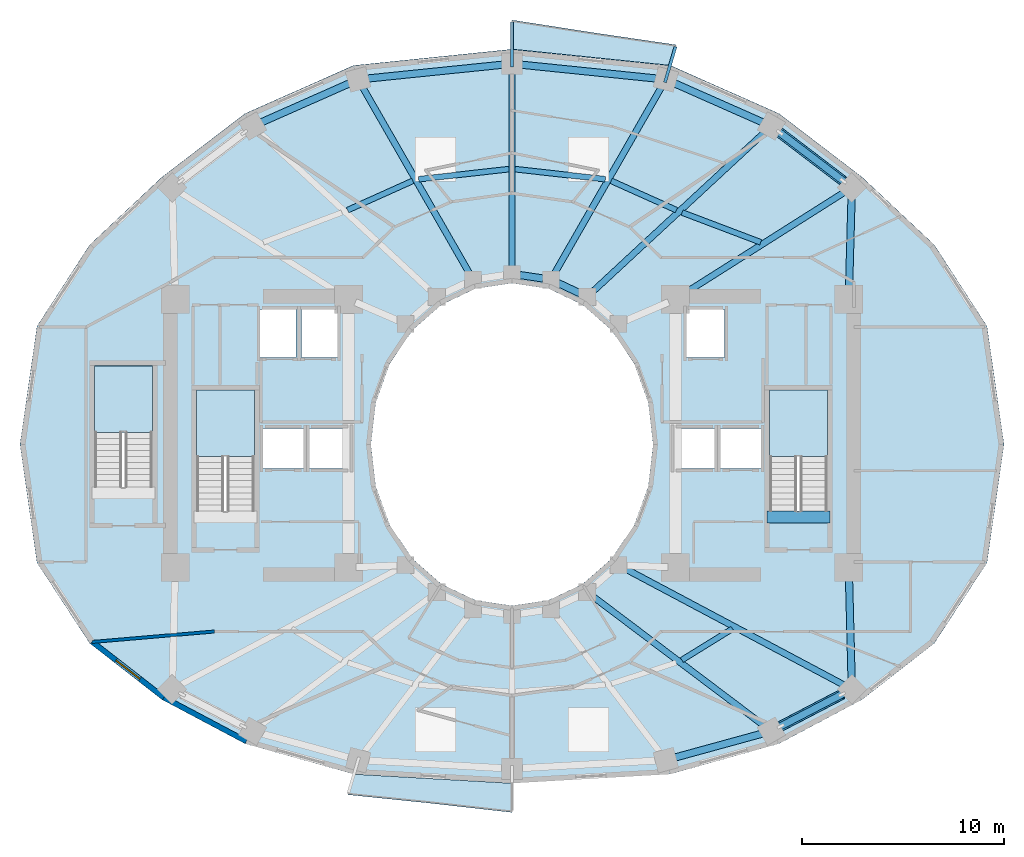
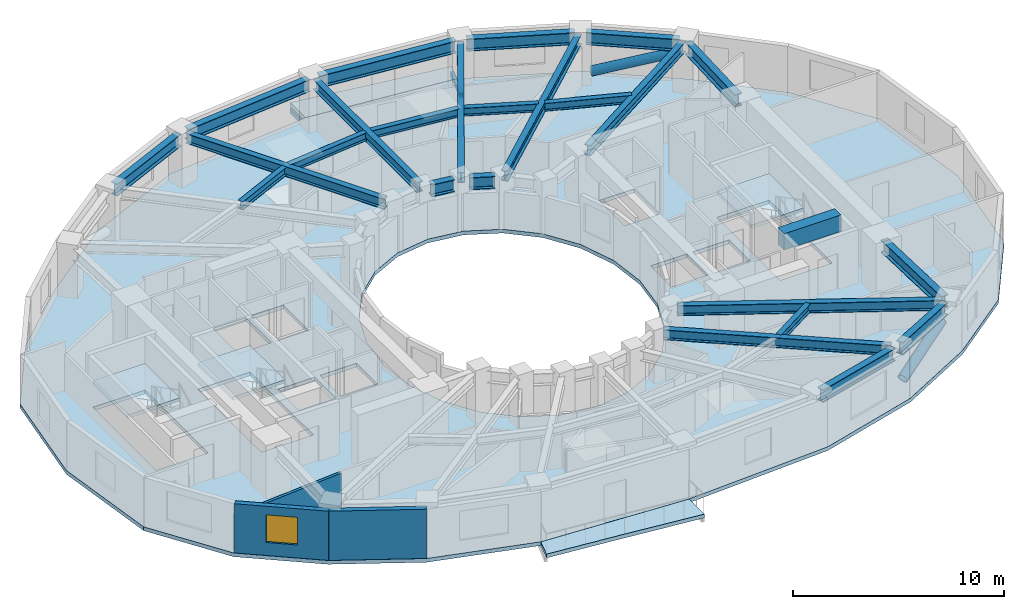
# One storey, part 2 of 9: 27 beams, 6 slabs, 3 walls, 2 members, 1 window, 1 opening, 3 elements without a shape of their own.
"""IFC4 building model written with IfcOpenShell, lengths in metres."""

import ifcopenshell
import ifcopenshell.guid

model = None  # the IFC model being written
_history = None  # IfcOwnerHistory: only IFC2X3 demands one
_inside = {}  # id of a spatial element -> (the spatial element, [elements in it])
_under = {}  # id of a project, library or spatial element -> (it, [spatial elements below it])
_declared = {}  # id of a project -> (the project, [libraries it declares])
_typed = {}  # id of a type object -> (the type object, [elements of that type])
_made_of = {}  # id of a material, layer set ... -> (it, [elements and type objects made of it])


def new_model(schema):
    """Start an empty IFC model of exactly this schema.

    Asked for "IFC4X3", IfcOpenShell would pick the latest addendum, in which some entities
    have other attributes; the version numbers below select the first issue.
    IFC2X3 requires an IfcOwnerHistory on every rooted entity: one is made here for all.
    """
    global model, _history
    if schema == "IFC4X3":
        model = ifcopenshell.file(schema_version=(4, 3, 0, 0))
    else:
        model = ifcopenshell.file(schema=schema)
    _inside.clear()
    _under.clear()
    _declared.clear()
    _typed.clear()
    _made_of.clear()
    _history = None
    if model.schema == "IFC2X3":
        org = make("IfcOrganization", Name="unknown")
        user = make(
            "IfcPersonAndOrganization",
            ThePerson=make("IfcPerson", FamilyName="unknown"),
            TheOrganization=org,
        )
        app = make(
            "IfcApplication",
            ApplicationDeveloper=org,
            Version="unknown",
            ApplicationFullName="unknown",
            ApplicationIdentifier="unknown",
        )
        _history = make(
            "IfcOwnerHistory",
            OwningUser=user,
            OwningApplication=app,
            ChangeAction="ADDED",
            CreationDate=0,
        )
    return model


def make(cls, **values):
    """One entity of the class cls with the attributes given. An attribute that is None is left unset."""
    return model.create_entity(
        cls, **{name: value for name, value in values.items() if value is not None}
    )


def rooted(cls, **values):
    """An entity with a GlobalId (a new one), such as an element, a storey or a relation."""
    return make(cls, GlobalId=ifcopenshell.guid.new(), OwnerHistory=_history, **values)


def si_unit(unit_type, name, prefix=None):
    """IfcSIUnit, for example si_unit("LENGTHUNIT", "METRE", prefix="MILLI")."""
    return make("IfcSIUnit", UnitType=unit_type, Prefix=prefix, Name=name)


def assignment(units):
    """IfcUnitAssignment: the units of a project."""
    return None if units is None else make("IfcUnitAssignment", Units=units)


def point(xyz):
    """IfcCartesianPoint."""
    return None if xyz is None else make("IfcCartesianPoint", Coordinates=xyz)


def direction(xyz):
    """IfcDirection."""
    return None if xyz is None else make("IfcDirection", DirectionRatios=xyz)


def frame(location, z_axis=None, x_axis=None):
    """IfcAxis2Placement3D, a coordinate frame: its origin and axes. An axis left out is left unset."""
    return make(
        "IfcAxis2Placement3D",
        Location=point(location),
        Axis=direction(z_axis),
        RefDirection=direction(x_axis),
    )


def frame_2d(location, x_axis=None):
    """IfcAxis2Placement2D, a coordinate frame in the plane: its origin and x axis."""
    return make(
        "IfcAxis2Placement2D", Location=point(location), RefDirection=direction(x_axis)
    )


def origin():
    """The frame at (0, 0, 0) with its axes left unset."""
    return frame((0.0, 0.0, 0.0))


def origin_2d():
    """The frame at (0, 0) in the plane with its x axis left unset."""
    return frame_2d((0.0, 0.0))


def place(relative_to, where):
    """IfcLocalPlacement: puts the frame where relative to a parent placement (None: the world)."""
    return make(
        "IfcLocalPlacement", PlacementRelTo=relative_to, RelativePlacement=where
    )


def context(
    kind, dimensions, precision=None, world=None, true_north=None, identifier=None
):
    """IfcGeometricRepresentationContext, for example the 3D "Model" context."""
    return make(
        "IfcGeometricRepresentationContext",
        ContextIdentifier=identifier,
        ContextType=kind,
        CoordinateSpaceDimension=dimensions,
        Precision=precision,
        WorldCoordinateSystem=world,
        TrueNorth=true_north,
    )


def subcontext(parent, identifier, kind, view, scale=None):
    """IfcGeometricRepresentationSubContext, for example "Body" below "Model"."""
    return make(
        "IfcGeometricRepresentationSubContext",
        ContextIdentifier=identifier,
        ContextType=kind,
        ParentContext=parent,
        TargetScale=scale,
        TargetView=view,
    )


def project(units=None, contexts=None):
    """IfcProject with its units and contexts."""
    return rooted(
        "IfcProject",
        Name="project",
        RepresentationContexts=contexts,
        UnitsInContext=assignment(units),
    )


def spatial(cls, under=None, at=None, **own):
    """A site, building, storey or space (cls), placed at a placement, below another one or the project."""
    s = rooted(cls, ObjectPlacement=at, **own)
    if under is not None:
        _under.setdefault(under.id(), (under, []))[1].append(s)
    return s


def polyline(points):
    """IfcPolyline through the points."""
    return make("IfcPolyline", Points=[point(p) for p in points])


def profile(cls, at=None, kind="AREA", **sizes):
    """A parametric profile (cls). Its sizes go by their IFC names, for example OverallWidth=200.0."""
    return make(cls, ProfileType=kind, Position=at, **sizes)


def rectangle(**sizes):
    """IfcRectangleProfileDef."""
    return profile("IfcRectangleProfileDef", **sizes)


def hollow_rectangle(**sizes):
    """IfcRectangleHollowProfileDef."""
    return profile("IfcRectangleHollowProfileDef", **sizes)


def hollow_circle(**sizes):
    """IfcCircleHollowProfileDef."""
    return profile("IfcCircleHollowProfileDef", **sizes)


def i_section(**sizes):
    """IfcIShapeProfileDef."""
    return profile("IfcIShapeProfileDef", **sizes)


def outline(outer, holes=None, kind="AREA"):
    """IfcArbitraryClosedProfileDef: a profile drawn as a closed curve; with holes, ...WithVoids."""
    if holes is None:
        return make("IfcArbitraryClosedProfileDef", ProfileType=kind, OuterCurve=outer)
    return make(
        "IfcArbitraryProfileDefWithVoids",
        ProfileType=kind,
        OuterCurve=outer,
        InnerCurves=holes,
    )


def extrude(swept, where, along, depth):
    """IfcExtrudedAreaSolid: the profile swept, set in the frame where, extruded along a direction by depth."""
    return make(
        "IfcExtrudedAreaSolid",
        SweptArea=swept,
        Position=where,
        ExtrudedDirection=direction(along),
        Depth=depth,
    )


def shape(context_of_items, identifier, shape_type, items):
    """IfcShapeRepresentation: the items that make up one representation, for example the "Body"."""
    return make(
        "IfcShapeRepresentation",
        ContextOfItems=context_of_items,
        RepresentationIdentifier=identifier,
        RepresentationType=shape_type,
        Items=items,
    )


def material(Name=None, Category=None):
    """IfcMaterial."""
    return make("IfcMaterial", Name=Name, Category=Category)


def layer(
    of_material, thickness, ventilated=None, Name=None, Category=None, Priority=None
):
    """IfcMaterialLayer: one layer of a wall or slab, of a material (None: an air gap)."""
    return make(
        "IfcMaterialLayer",
        Material=of_material,
        LayerThickness=thickness,
        IsVentilated=ventilated,
        Name=Name,
        Category=Category,
        Priority=Priority,
    )


def layer_set(layers, Name=None):
    """IfcMaterialLayerSet."""
    return make("IfcMaterialLayerSet", MaterialLayers=layers, LayerSetName=Name)


def material_profile(
    of_material, cross_section, Name=None, Category=None, Priority=None
):
    """IfcMaterialProfile: a cross section and its material."""
    return make(
        "IfcMaterialProfile",
        Name=Name,
        Material=of_material,
        Profile=cross_section,
        Priority=Priority,
        Category=Category,
    )


def profile_set(profiles, Name=None, composite=None):
    """IfcMaterialProfileSet."""
    return make(
        "IfcMaterialProfileSet",
        Name=Name,
        MaterialProfiles=profiles,
        CompositeProfile=composite,
    )


def made_of(thing, what):
    """Note that an element or type object is made of a material, layer set ...; save() writes the relation."""
    if what is not None:
        _made_of.setdefault(what.id(), (what, []))[1].append(thing)
    return thing


def type_object(cls, material=None, **own):
    """A type object (cls), such as IfcWallType, which elements share."""
    return made_of(rooted(cls, **own), material)


def element(
    cls,
    number,
    at=None,
    inside=None,
    cuts=None,
    type_object=None,
    material=None,
    context=None,
    identifier="Body",
    shape_type=None,
    held_by="IfcProductDefinitionShape",
    body=None,
    shapes=None,
    **own,
):
    """One element of the class cls, such as IfcWall. Its Tag is "e" and its number.

    at: its placement. inside: the storey or other place that contains it. cuts: it is an
    opening in that element (IfcRelVoidsElement). A single representation is given by context,
    identifier, shape_type and body (its items); several are given by shapes. held_by: the class
    of the entity that holds the representations. save() writes the other relations.
    """
    e = rooted(cls, Tag="e%d" % number, ObjectPlacement=at, **own)
    if body is not None:
        shapes = [shape(context, identifier, shape_type, body)]
    if shapes is not None:
        e.Representation = make(held_by, Representations=shapes)
    if inside is not None:
        _inside.setdefault(inside.id(), (inside, []))[1].append(e)
    if cuts is not None:
        rooted(
            "IfcRelVoidsElement", RelatingBuildingElement=cuts, RelatedOpeningElement=e
        )
    if type_object is not None:
        _typed.setdefault(type_object.id(), (type_object, []))[1].append(e)
    return made_of(e, material)


def fill(opening, filler):
    """IfcRelFillsElement: the door or window that sits in an opening."""
    return rooted(
        "IfcRelFillsElement",
        RelatingOpeningElement=opening,
        RelatedBuildingElement=filler,
    )


def aggregate(whole, parts):
    """IfcRelAggregates: a whole, such as a stair, and the parts it consists of."""
    return rooted("IfcRelAggregates", RelatingObject=whole, RelatedObjects=parts)


def save(model, path):
    """Write the relations noted so far, then the file.

    IfcRelAggregates (storeys below a building ...), IfcRelContainedInSpatialStructure (elements
    in a storey), IfcRelDefinesByType, IfcRelAssociatesMaterial and IfcRelDeclares: one each for
    every whole, place, type object, material and project.
    """
    for whole, parts in _under.values():
        aggregate(whole, parts)
    for where, things in _inside.values():
        rooted(
            "IfcRelContainedInSpatialStructure",
            RelatedElements=things,
            RelatingStructure=where,
        )
    for kind, things in _typed.values():
        rooted("IfcRelDefinesByType", RelatedObjects=things, RelatingType=kind)
    for what, things in _made_of.values():
        rooted("IfcRelAssociatesMaterial", RelatedObjects=things, RelatingMaterial=what)
    for by, libraries in _declared.values():
        rooted("IfcRelDeclares", RelatingContext=by, RelatedDefinitions=libraries)
    model.write(path)


model = new_model("IFC4")

# Units and contexts
model_context = context("Model", 3, precision=1e-05, world=origin(), true_north=direction((0.0, 1.0)))
body_context = subcontext(model_context, "Body", "Model", "MODEL_VIEW")
ifc_project = project(units=[si_unit("LENGTHUNIT", "METRE"), si_unit("AREAUNIT", "SQUARE_METRE"), si_unit("VOLUMEUNIT", "CUBIC_METRE"), si_unit("PLANEANGLEUNIT", "RADIAN"), si_unit("MASSUNIT", "GRAM", prefix="KILO")], contexts=[model_context])

# Site, building, storey
site_placement = place(None, origin())
site = spatial("IfcSite", under=ifc_project, at=site_placement, CompositionType="ELEMENT")
building_placement = place(site_placement, origin())
building = spatial("IfcBuilding", under=site, at=building_placement, Name="Solvane Sanctuary Tower", CompositionType="ELEMENT")
storey_placement = place(building_placement, frame((0.0, 0.0, 116.60009765625)))
storey = spatial("IfcBuildingStorey", under=building, at=storey_placement, Name="L35", CompositionType="ELEMENT", Elevation=116.60009765625)

# Beams
ifc_material_1 = material(Name="Steel ASTM A500 Grade C", Category="steel")
ifc_material_profile_1 = material_profile(ifc_material_1, hollow_rectangle(XDim=0.14990234375, YDim=0.300048828125, WallThickness=0.010009765625, at=origin_2d()), Name="HSS300X150X10")
ifc_profile_set_1 = profile_set([ifc_material_profile_1], Name="Steel ASTM A500 Grade C")
beam_type_1 = type_object("IfcBeamType", Name="Beam B-BALC-BRK HSS300X150X10", PredefinedType="BEAM", material=ifc_profile_set_1)
beam_1_placement = place(storey_placement, frame((39.5869140625, 40.9560546875, -0.3720703125), z_axis=(0.282517844472, 0.959262043216, 0.0), x_axis=(-0.959262043216, 0.282517844472, 0.0)))
element("IfcBeam", 1, at=beam_1_placement, inside=storey, type_object=beam_type_1, Name="L35 Balcony Bracket NC-1", PredefinedType="BEAM", context=body_context, shape_type="SweptSolid", body=[
    extrude(hollow_rectangle(XDim=0.14990234375, YDim=0.300048828125, WallThickness=0.010009765625, at=origin_2d()), origin(), (0.0, 0.0, 1.0), 1.84228515625),
])
beam_2_placement = place(storey_placement, frame((32.0, 41.72998046875, -0.3720703125), z_axis=(0.0, 1.0, 0.0), x_axis=(-1.0, 0.0, 0.0)))
element("IfcBeam", 2, at=beam_2_placement, inside=storey, type_object=beam_type_1, Name="L35 Balcony Bracket NC-2", PredefinedType="BEAM", context=body_context, shape_type="SweptSolid", body=[
    extrude(hollow_rectangle(XDim=0.14990234375, YDim=0.300048828125, WallThickness=0.010009765625, at=origin_2d()), origin(), (0.0, 0.0, 1.0), 2.219970703125),
])
ifc_material_2 = material(Name="Concrete C70/85", Category="concrete")
ifc_material_profile_2 = material_profile(ifc_material_2, rectangle(XDim=0.60009765625, YDim=0.949951171875, at=origin_2d()), Name="RC600X950")
ifc_profile_set_2 = profile_set([ifc_material_profile_2], Name="Concrete C70/85")
beam_type_2 = type_object("IfcBeamType", Name="Beam B-COUPLE RC600X950", PredefinedType="LINTEL", material=ifc_profile_set_2)
beam_3_placement = place(storey_placement, frame((44.64990234375, 19.399169921875, 2.625), z_axis=(1.0, 0.0, 0.0), x_axis=(0.0, 1.0, 0.0)))
element("IfcBeam", 3, at=beam_3_placement, inside=storey, type_object=beam_type_2, Name="L35 ST-2 Stair Floor Landing Trimmer", PredefinedType="LINTEL", context=body_context, shape_type="SweptSolid", body=[
    extrude(rectangle(XDim=0.60009765625, YDim=0.949951171875, at=origin_2d()), origin(), (0.0, 0.0, 1.0), 3.1201171875),
])
ifc_material_3 = material(Name="Steel ASTM A992 Grade 50", Category="steel")
ifc_material_profile_3 = material_profile(ifc_material_3, i_section(OverallWidth=0.31494140625, OverallDepth=0.575927734375, WebThickness=0.01513671875, FlangeThickness=0.0244140625, FilletRadius=0.014892578125, at=origin_2d()), Name="W21X122")
ifc_profile_set_3 = profile_set([ifc_material_profile_3], Name="Steel ASTM A992 Grade 50")
beam_type_3 = type_object("IfcBeamType", Name="Beam B-RAD-Z2 W21X122", PredefinedType="BEAM", material=ifc_profile_set_3)
beam_4_placement = place(storey_placement, frame((40.404052734375, 30.392578125, 2.58984375), z_axis=(0.844853889678, 0.534997107558, 0.0), x_axis=(-0.534997107558, 0.844853889678, 0.0)))
element("IfcBeam", 4, at=beam_4_placement, inside=storey, type_object=beam_type_3, Name="L35 Radial Composite Floor Beam 01", PredefinedType="BEAM", context=body_context, shape_type="SweptSolid", body=[
    extrude(i_section(OverallWidth=0.31494140625, OverallDepth=0.575927734375, WebThickness=0.01513671875, FlangeThickness=0.0244140625, FilletRadius=0.014892578125, at=origin_2d()), origin(), (0.0, 0.0, 1.0), 9.720458984375),
])
beam_5_placement = place(storey_placement, frame((35.935302734375, 30.516845703125, 2.58984375), z_axis=(0.733453775248, 0.679739332078, 0.0), x_axis=(-0.679739332078, 0.733453775248, 0.0)))
element("IfcBeam", 5, at=beam_5_placement, inside=storey, type_object=beam_type_3, Name="L35 Radial Composite Floor Beam 02", PredefinedType="BEAM", context=body_context, shape_type="SweptSolid", body=[
    extrude(i_section(OverallWidth=0.31494140625, OverallDepth=0.575927734375, WebThickness=0.01513671875, FlangeThickness=0.0244140625, FilletRadius=0.014892578125, at=origin_2d()), origin(), (0.0, 0.0, 1.0), 11.885498046875),
])
beam_6_placement = place(storey_placement, frame((34.0703125, 31.41455078125, 2.58984375), z_axis=(0.497792245326, 0.8672963049, 0.0), x_axis=(-0.8672963049, 0.497792245326, 0.0)))
element("IfcBeam", 6, at=beam_6_placement, inside=storey, type_object=beam_type_3, Name="L35 Radial Composite Floor Beam 03", PredefinedType="BEAM", context=body_context, shape_type="SweptSolid", body=[
    extrude(i_section(OverallWidth=0.31494140625, OverallDepth=0.575927734375, WebThickness=0.01513671875, FlangeThickness=0.0244140625, FilletRadius=0.014892578125, at=origin_2d()), origin(), (0.0, 0.0, 1.0), 10.887451171875),
])
beam_7_placement = place(storey_placement, frame((32.0, 31.739990234375, 2.58984375), z_axis=(0.0, 1.0, 0.0), x_axis=(-1.0, 0.0, 0.0)))
element("IfcBeam", 7, at=beam_7_placement, inside=storey, type_object=beam_type_3, Name="L35 Radial Composite Floor Beam 04", PredefinedType="BEAM", context=body_context, shape_type="SweptSolid", body=[
    extrude(i_section(OverallWidth=0.31494140625, OverallDepth=0.575927734375, WebThickness=0.01513671875, FlangeThickness=0.0244140625, FilletRadius=0.014892578125, at=origin_2d()), origin(), (0.0, 0.0, 1.0), 9.860107421875),
])
beam_8_placement = place(storey_placement, frame((29.9296875, 31.41455078125, 2.58984375), z_axis=(-0.497792245326, 0.8672963049, 0.0), x_axis=(-0.8672963049, -0.497792245326, 0.0)))
element("IfcBeam", 8, at=beam_8_placement, inside=storey, type_object=beam_type_3, Name="L35 Radial Composite Floor Beam 05", PredefinedType="BEAM", context=body_context, shape_type="SweptSolid", body=[
    extrude(i_section(OverallWidth=0.31494140625, OverallDepth=0.575927734375, WebThickness=0.01513671875, FlangeThickness=0.0244140625, FilletRadius=0.014892578125, at=origin_2d()), origin(), (0.0, 0.0, 1.0), 10.887451171875),
])
beam_9_placement = place(storey_placement, frame((35.95361328125, 15.504638671875, 2.58984375), z_axis=(0.798116040134, -0.602503764703, 0.0), x_axis=(0.602503764703, 0.798116040134, 0.0)))
element("IfcBeam", 9, at=beam_9_placement, inside=storey, type_object=beam_type_3, Name="L35 Radial Composite Floor Beam 13", PredefinedType="BEAM", context=body_context, shape_type="SweptSolid", body=[
    extrude(i_section(OverallWidth=0.31494140625, OverallDepth=0.575927734375, WebThickness=0.01513671875, FlangeThickness=0.0244140625, FilletRadius=0.014892578125, at=origin_2d()), origin(), (0.0, 0.0, 1.0), 10.876953125),
])
beam_10_placement = place(storey_placement, frame((37.522216796875, 16.886474609375, 2.58984375), z_axis=(0.882951984843, -0.469463302572, 0.0), x_axis=(0.469463302572, 0.882951984843, 0.0)))
element("IfcBeam", 10, at=beam_10_placement, inside=storey, type_object=beam_type_3, Name="L35 Radial Composite Floor Beam 14", PredefinedType="BEAM", context=body_context, shape_type="SweptSolid", body=[
    extrude(i_section(OverallWidth=0.31494140625, OverallDepth=0.575927734375, WebThickness=0.01513671875, FlangeThickness=0.0244140625, FilletRadius=0.014892578125, at=origin_2d()), origin(), (0.0, 0.0, 1.0), 12.552734375),
])
ifc_material_profile_4 = material_profile(ifc_material_3, i_section(OverallWidth=0.35498046875, OverallDepth=0.695068359375, WebThickness=0.015380859375, FlangeThickness=0.02490234375, FilletRadius=0.01806640625, at=origin_2d()), Name="W27X146")
ifc_profile_set_4 = profile_set([ifc_material_profile_4], Name="Steel ASTM A992 Grade 50")
beam_type_4 = type_object("IfcBeamType", Name="Beam B-RING-IN1 W27X146", PredefinedType="BEAM", material=ifc_profile_set_4)
beam_11_placement = place(storey_placement, frame((32.390625, 31.401611328125, 2.530517578125), z_axis=(0.989034751611, -0.147682971619, 0.0), x_axis=(0.147682971619, 0.989034751611, 0.0)))
element("IfcBeam", 11, at=beam_11_placement, inside=storey, type_object=beam_type_4, Name="L35 Inner Light-Well Ring Beam IC04-IC03", PredefinedType="BEAM", context=body_context, shape_type="SweptSolid", body=[
    extrude(i_section(OverallWidth=0.35498046875, OverallDepth=0.695068359375, WebThickness=0.015380859375, FlangeThickness=0.02490234375, FilletRadius=0.01806640625, at=origin_2d()), origin(), (0.0, 0.0, 1.0), 1.162109375),
])
beam_12_placement = place(storey_placement, frame((34.288330078125, 31.00390625, 2.530517578125), z_axis=(0.905044882818, -0.425316070804, 0.0), x_axis=(0.425316070804, 0.905044882818, 0.0)))
element("IfcBeam", 12, at=beam_12_placement, inside=storey, type_object=beam_type_4, Name="L35 Inner Light-Well Ring Beam IC03-IC02", PredefinedType="BEAM", context=body_context, shape_type="SweptSolid", body=[
    extrude(i_section(OverallWidth=0.35498046875, OverallDepth=0.695068359375, WebThickness=0.015380859375, FlangeThickness=0.02490234375, FilletRadius=0.01806640625, at=origin_2d()), origin(), (0.0, 0.0, 1.0), 1.197998046875),
])
ifc_material_profile_5 = material_profile(ifc_material_3, i_section(OverallWidth=0.280029296875, OverallDepth=0.462890625, WebThickness=0.0107421875, FlangeThickness=0.017333984375, FilletRadius=0.013916015625, at=origin_2d()), Name="W18X76")
ifc_profile_set_5 = profile_set([ifc_material_profile_5], Name="Steel ASTM A992 Grade 50")
beam_type_5 = type_object("IfcBeamType", Name="Beam B-SEC-JOIST W18X76", PredefinedType="JOIST", material=ifc_profile_set_5)
beam_13_placement = place(storey_placement, frame((23.844970703125, 34.618896484375, 2.646484375), z_axis=(0.912083673068, 0.410004113787, 0.0), x_axis=(-0.410004113787, 0.912083673068, 0.0)))
element("IfcBeam", 13, at=beam_13_placement, inside=storey, type_object=beam_type_5, Name="L35 Secondary Circumferential Joist 06-05", PredefinedType="JOIST", context=body_context, shape_type="SweptSolid", body=[
    extrude(i_section(OverallWidth=0.280029296875, OverallDepth=0.462890625, WebThickness=0.0107421875, FlangeThickness=0.017333984375, FilletRadius=0.013916015625, at=origin_2d()), origin(), (0.0, 0.0, 1.0), 3.5478515625),
])
for number, where, z_axis, x_axis, name in (
    (14, (27.37158203125, 36.15283203125, 2.646484375), (0.993814804173, 0.111050146357, 0.0), (-0.111050146357, 0.993814804173, 0.0), "L35 Secondary Circumferential Joist 05-04"),
    (15, (32.151611328125, 36.653076171875, 2.646484375), (0.993814804173, -0.111050146357, 0.0), (0.111050146357, 0.993814804173, 0.0), "L35 Secondary Circumferential Joist 04-03"),
):
    element("IfcBeam", number, at=place(storey_placement, frame(where, z_axis=z_axis, x_axis=x_axis)), inside=storey, type_object=beam_type_5, Name=name, PredefinedType="JOIST", context=body_context, shape_type="SweptSolid", body=[
        extrude(i_section(OverallWidth=0.280029296875, OverallDepth=0.462890625, WebThickness=0.0107421875, FlangeThickness=0.017333984375, FilletRadius=0.013916015625, at=origin_2d()), origin(), (0.0, 0.0, 1.0), 4.504638671875),
    ])
beam_14_placement = place(storey_placement, frame((36.919189453125, 36.073486328125, 2.646484375), z_axis=(0.912083673068, -0.410004113787, 0.0), x_axis=(0.410004113787, 0.912083673068, 0.0)))
element("IfcBeam", 16, at=beam_14_placement, inside=storey, type_object=beam_type_5, Name="L35 Secondary Circumferential Joist 03-02", PredefinedType="JOIST", context=body_context, shape_type="SweptSolid", body=[
    extrude(i_section(OverallWidth=0.280029296875, OverallDepth=0.462890625, WebThickness=0.0107421875, FlangeThickness=0.017333984375, FilletRadius=0.013916015625, at=origin_2d()), origin(), (0.0, 0.0, 1.0), 3.5478515625),
])
beam_15_placement = place(storey_placement, frame((40.436767578125, 34.50244140625, 2.646484375), z_axis=(0.93509327646, -0.354401699091, 0.0), x_axis=(0.354401699091, 0.93509327646, 0.0)))
element("IfcBeam", 17, at=beam_15_placement, inside=storey, type_object=beam_type_5, Name="L35 Secondary Circumferential Joist 02-01", PredefinedType="JOIST", context=body_context, shape_type="SweptSolid", body=[
    extrude(i_section(OverallWidth=0.280029296875, OverallDepth=0.462890625, WebThickness=0.0107421875, FlangeThickness=0.017333984375, FilletRadius=0.013916015625, at=origin_2d()), origin(), (0.0, 0.0, 1.0), 4.167724609375),
])
beam_16_placement = place(storey_placement, frame((40.423828125, 12.30810546875, 2.646484375), z_axis=(0.85065981691, 0.525716535687, 0.0), x_axis=(-0.525716535687, 0.85065981691, 0.0)))
element("IfcBeam", 18, at=beam_16_placement, inside=storey, type_object=beam_type_5, Name="L35 Secondary Circumferential Joist 13-14", PredefinedType="JOIST", context=body_context, shape_type="SweptSolid", body=[
    extrude(i_section(OverallWidth=0.280029296875, OverallDepth=0.462890625, WebThickness=0.0107421875, FlangeThickness=0.017333984375, FilletRadius=0.013916015625, at=origin_2d()), origin(), (0.0, 0.0, 1.0), 2.951171875),
])
ifc_material_profile_6 = material_profile(ifc_material_3, i_section(OverallWidth=0.35791015625, OverallDepth=0.7060546875, WebThickness=0.018310546875, FlangeThickness=0.0302734375, FilletRadius=0.01806640625, at=origin_2d()), Name="W27X178")
ifc_profile_set_6 = profile_set([ifc_material_profile_6], Name="Steel ASTM A992 Grade 50")
beam_type_6 = type_object("IfcBeamType", Name="Beam B-SPAND-Z2 W27X178", PredefinedType="SPANDREL", material=ifc_profile_set_6)
beam_17_placement = place(storey_placement, frame((19.397705078125, 38.8994140625, 2.52490234375), z_axis=(0.914454505181, 0.404688717355, 0.0), x_axis=(-0.404688717355, 0.914454505181, 0.0)))
element("IfcBeam", 19, at=beam_17_placement, inside=storey, type_object=beam_type_6, Name="L35 Perimeter Spandrel Beam TC06-TC05", PredefinedType="SPANDREL", context=body_context, shape_type="SweptSolid", body=[
    extrude(i_section(OverallWidth=0.35791015625, OverallDepth=0.7060546875, WebThickness=0.018310546875, FlangeThickness=0.0302734375, FilletRadius=0.01806640625, at=origin_2d()), origin(), (0.0, 0.0, 1.0), 5.157958984375),
])
for number, where, z_axis, x_axis, name in (
    (20, (24.649169921875, 41.12841796875, 2.52490234375), (0.994813029025, 0.101720387737, 0.0), (-0.101720387737, 0.994813029025, 0.0), "L35 Perimeter Spandrel Beam TC05-TC04"),
    (21, (32.278564453125, 41.8515625, 2.52490234375), (0.994813029025, -0.101720387737, 0.0), (0.101720387737, 0.994813029025, 0.0), "L35 Perimeter Spandrel Beam TC04-TC03"),
):
    element("IfcBeam", number, at=place(storey_placement, frame(where, z_axis=z_axis, x_axis=x_axis)), inside=storey, type_object=beam_type_6, Name=name, PredefinedType="SPANDREL", context=body_context, shape_type="SweptSolid", body=[
        extrude(i_section(OverallWidth=0.35791015625, OverallDepth=0.7060546875, WebThickness=0.018310546875, FlangeThickness=0.0302734375, FilletRadius=0.01806640625, at=origin_2d()), origin(), (0.0, 0.0, 1.0), 7.109130859375),
    ])
beam_18_placement = place(storey_placement, frame((39.885498046875, 40.98681640625, 2.52490234375), z_axis=(0.914454505181, -0.404688717355, 0.0), x_axis=(0.404688717355, 0.914454505181, 0.0)))
element("IfcBeam", 22, at=beam_18_placement, inside=storey, type_object=beam_type_6, Name="L35 Perimeter Spandrel Beam TC03-TC02", PredefinedType="SPANDREL", context=body_context, shape_type="SweptSolid", body=[
    extrude(i_section(OverallWidth=0.35791015625, OverallDepth=0.7060546875, WebThickness=0.018310546875, FlangeThickness=0.0302734375, FilletRadius=0.01806640625, at=origin_2d()), origin(), (0.0, 0.0, 1.0), 5.157958984375),
])
beam_19_placement = place(storey_placement, frame((45.0810546875, 38.616455078125, 2.52490234375), z_axis=(0.795473167932, -0.605988811036, 0.0), x_axis=(0.605988811036, 0.795473167932, 0.0)))
element("IfcBeam", 23, at=beam_19_placement, inside=storey, type_object=beam_type_6, Name="L35 Perimeter Spandrel Beam TC02-TC01", PredefinedType="SPANDREL", context=body_context, shape_type="SweptSolid", body=[
    extrude(i_section(OverallWidth=0.35791015625, OverallDepth=0.7060546875, WebThickness=0.018310546875, FlangeThickness=0.0302734375, FilletRadius=0.01806640625, at=origin_2d()), origin(), (0.0, 0.0, 1.0), 4.4619140625),
])
beam_20_placement = place(storey_placement, frame((48.84521484375, 35.462890625, 2.52490234375), z_axis=(-0.027574028772, -0.999619764179, 0.0), x_axis=(0.999619764179, -0.027574028772, 0.0)))
element("IfcBeam", 24, at=beam_20_placement, inside=storey, type_object=beam_type_6, Name="L35 Perimeter Spandrel Beam TC01-CE3", PredefinedType="SPANDREL", context=body_context, shape_type="SweptSolid", body=[
    extrude(i_section(OverallWidth=0.35791015625, OverallDepth=0.7060546875, WebThickness=0.018310546875, FlangeThickness=0.0302734375, FilletRadius=0.01806640625, at=origin_2d()), origin(), (0.0, 0.0, 1.0), 4.98486328125),
])
beam_21_placement = place(storey_placement, frame((39.8994140625, 7.422119140625, 2.52490234375), z_axis=(0.964367605241, 0.26456591232, 0.0), x_axis=(-0.26456591232, 0.964367605241, 0.0)))
element("IfcBeam", 25, at=beam_21_placement, inside=storey, type_object=beam_type_6, Name="L35 Perimeter Spandrel Beam TC12-TC13", PredefinedType="SPANDREL", context=body_context, shape_type="SweptSolid", body=[
    extrude(i_section(OverallWidth=0.35791015625, OverallDepth=0.7060546875, WebThickness=0.018310546875, FlangeThickness=0.0302734375, FilletRadius=0.01806640625, at=origin_2d()), origin(), (0.0, 0.0, 1.0), 4.8623046875),
])
beam_22_placement = place(storey_placement, frame((45.106689453125, 8.911865234375, 2.52490234375), z_axis=(0.887014995188, 0.461740618002, 0.0), x_axis=(-0.461740618002, 0.887014995188, 0.0)))
element("IfcBeam", 26, at=beam_22_placement, inside=storey, type_object=beam_type_6, Name="L35 Perimeter Spandrel Beam TC13-TC14", PredefinedType="SPANDREL", context=body_context, shape_type="SweptSolid", body=[
    extrude(i_section(OverallWidth=0.35791015625, OverallDepth=0.7060546875, WebThickness=0.018310546875, FlangeThickness=0.0302734375, FilletRadius=0.01806640625, at=origin_2d()), origin(), (0.0, 0.0, 1.0), 3.943359375),
])
beam_23_placement = place(storey_placement, frame((48.845947265625, 11.141845703125, 2.52490234375), z_axis=(-0.025349487585, 0.999678650107, 0.0), x_axis=(-0.999678650107, -0.025349487585, 0.0)))
element("IfcBeam", 27, at=beam_23_placement, inside=storey, type_object=beam_type_6, Name="L35 Perimeter Spandrel Beam TC14-CE2", PredefinedType="SPANDREL", context=body_context, shape_type="SweptSolid", body=[
    extrude(i_section(OverallWidth=0.35791015625, OverallDepth=0.7060546875, WebThickness=0.018310546875, FlangeThickness=0.0302734375, FilletRadius=0.01806640625, at=origin_2d()), origin(), (0.0, 0.0, 1.0), 5.47998046875),
])

# Members
ifc_material_profile_7 = material_profile(ifc_material_3, hollow_circle(Radius=0.25390625, WallThickness=0.01611328125, at=origin_2d()), Name="CHS508X16")
ifc_profile_set_7 = profile_set([ifc_material_profile_7], Name="Steel ASTM A992 Grade 50")
member_type = type_object("IfcMemberType", Name="Member M-TUBE-Z2 CHS508X16", PredefinedType="BRACE", material=ifc_profile_set_7)
member_1_placement = place(storey_placement, frame((45.286865234375, 38.459716796875, 0.572021484375), z_axis=(0.749170118041, -0.570768517947, 0.336106282529), x_axis=(0.606024564443, 0.795445929836, 0.0)))
element("IfcMember", 28, at=member_1_placement, inside=storey, type_object=member_type, Name="L35 Perimeter Braced-Tube Diagonal NE", PredefinedType="BRACE", context=body_context, shape_type="SweptSolid", body=[
    extrude(hollow_circle(Radius=0.25390625, WallThickness=0.01611328125, at=origin_2d()), origin(), (0.0, 0.0, 1.0), 4.1875),
])
member_2_placement = place(storey_placement, frame((45.332763671875, 9.029296875, 0.5927734375), z_axis=(0.824140553465, 0.429072126665, 0.369715374651), x_axis=(-0.461792399626, 0.886988038052, 0.0)))
element("IfcMember", 29, at=member_2_placement, inside=storey, type_object=member_type, Name="L35 Perimeter Braced-Tube Diagonal SE", PredefinedType="BRACE", context=body_context, shape_type="SweptSolid", body=[
    extrude(hollow_circle(Radius=0.25390625, WallThickness=0.01611328125, at=origin_2d()), origin(), (0.0, 0.0, 1.0), 3.6689453125),
])

# Slabs
ifc_material_4 = material(Name="Precast concrete C40/50", Category="concrete")
ifc_layer_1 = layer(ifc_material_4, 0.219970703125, Name="Precast concrete C40/50")
ifc_layer_set_1 = layer_set([ifc_layer_1], Name="Precast concrete C40/50")
slab_type_1 = type_object("IfcSlabType", Name="Slab SL-BALC-200", PredefinedType="FLOOR", material=ifc_layer_set_1)
slab_1_placement = place(storey_placement, frame((0.0, 0.0, -0.22021484375)))
element("IfcSlab", 30, at=slab_1_placement, inside=storey, type_object=slab_type_1, Name="L35 Wave Balcony Slab NC", PredefinedType="FLOOR", context=body_context, shape_type="SweptSolid", body=[
    extrude(outline(polyline([(40.1357421875, 42.8193359375), (36.090576171875, 43.412109375), (32.0, 44.050048828125), (32.00048828125, 42.60400390625), (39.86181640625, 41.79931640625), (40.1357421875, 42.8193359375)])), origin(), (0.0, 0.0, 1.0), 0.22021484375),
])
slab_2_placement = place(storey_placement, frame((0.0, 0.0, -0.22021484375)))
element("IfcSlab", 31, at=slab_2_placement, inside=storey, type_object=slab_type_1, Name="L35 Wave Balcony Slab SC", PredefinedType="FLOOR", context=body_context, shape_type="SweptSolid", body=[
    extrude(outline(polyline([(23.8642578125, 5.62841796875), (27.909423828125, 5.2119140625), (32.0, 4.75), (31.999755859375, 6.196044921875), (24.138427734375, 6.648681640625), (23.8642578125, 5.62841796875)])), origin(), (0.0, 0.0, 1.0), 0.22021484375),
])

# Stair, slab
ifc_material_5 = material(Name="Concrete C45/55", Category="concrete")
stair_type = type_object("IfcStairType", Name="Stair ST-TOW", PredefinedType="HALF_TURN_STAIR", material=ifc_material_5)
stair_1_placement = place(storey_placement, origin())
stair_1 = element("IfcStair", 32, at=stair_1_placement, inside=storey, type_object=stair_type, Name="L35 Exit Stair ST-1 West Core", PredefinedType="HALF_TURN_STAIR")
ifc_layer_2 = layer(ifc_material_5, 0.199951171875, Name="Concrete C45/55")
ifc_layer_set_2 = layer_set([ifc_layer_2], Name="Concrete C45/55")
slab_type_2 = type_object("IfcSlabType", Name="Slab SL-LAND-180", PredefinedType="LANDING", material=ifc_layer_set_2)
slab_3_placement = place(storey_placement, frame((0.0, 0.0, 1.349853515625)))
slab_3 = element("IfcSlab", 33, at=slab_3_placement, type_object=slab_type_2, Name="ST-1 landing 1", PredefinedType="LANDING", context=body_context, shape_type="SweptSolid", body=[
    extrude(outline(polyline([(19.219970703125, 22.39990234375), (19.219970703125, 25.699951171875), (16.360107421875, 25.699951171875), (16.360107421875, 22.39990234375), (19.219970703125, 22.39990234375)])), origin(), (0.0, 0.0, 1.0), 0.199951171875),
])
aggregate(stair_1, [slab_3])

stair_2_placement = place(storey_placement, origin())
stair_2 = element("IfcStair", 34, at=stair_2_placement, inside=storey, type_object=stair_type, Name="L35 Exit Stair ST-2 East Core", PredefinedType="HALF_TURN_STAIR")
slab_4_placement = place(storey_placement, frame((0.0, 0.0, 1.349853515625)))
slab_4 = element("IfcSlab", 35, at=slab_4_placement, type_object=slab_type_2, Name="ST-2 landing 1", PredefinedType="LANDING", context=body_context, shape_type="SweptSolid", body=[
    extrude(outline(polyline([(47.639892578125, 22.39990234375), (47.639892578125, 25.699951171875), (44.780029296875, 25.699951171875), (44.780029296875, 22.39990234375), (47.639892578125, 22.39990234375)])), origin(), (0.0, 0.0, 1.0), 0.199951171875),
])
aggregate(stair_2, [slab_4])

stair_3_placement = place(storey_placement, origin())
stair_3 = element("IfcStair", 36, at=stair_3_placement, inside=storey, type_object=stair_type, Name="L35 Exit Stair ST-3 Pilgrim Tower Stair", PredefinedType="HALF_TURN_STAIR")
slab_5_placement = place(storey_placement, frame((0.0, 0.0, 1.349853515625)))
slab_5 = element("IfcSlab", 37, at=slab_5_placement, type_object=slab_type_2, Name="ST-3 landing 1", PredefinedType="LANDING", context=body_context, shape_type="SweptSolid", body=[
    extrude(outline(polyline([(14.159912109375, 23.60009765625), (14.159912109375, 26.89990234375), (11.300048828125, 26.89990234375), (11.300048828125, 23.60009765625), (14.159912109375, 23.60009765625)])), origin(), (0.0, 0.0, 1.0), 0.199951171875),
])
aggregate(stair_3, [slab_5])

# Slab
ifc_layer_3 = layer(ifc_material_5, 0.219970703125, Name="Concrete C45/55")
ifc_layer_set_3 = layer_set([ifc_layer_3], Name="Concrete C45/55")
slab_type_3 = type_object("IfcSlabType", Name="Slab SL-TOW-220", PredefinedType="FLOOR", material=ifc_layer_set_3)
slab_6_placement = place(storey_placement, frame((0.0, 0.0, -0.22021484375)))
element("IfcSlab", 38, at=slab_6_placement, inside=storey, type_object=slab_type_3, Name="L35 Primary Structural Slab", PredefinedType="FLOOR", context=body_context, shape_type="SweptSolid", body=[
    extrude(outline(polyline([(56.39990234375, 23.0), (55.556884765625, 28.86376953125), (52.94091796875, 32.903076171875), (49.365478515625, 36.255126953125), (45.249267578125, 39.404296875), (39.861328125, 41.795166015625), (32.0, 42.60009765625), (24.138671875, 41.795166015625), (18.750732421875, 39.404296875), (14.634521484375, 36.255126953125), (11.05908203125, 32.903076171875), (8.443115234375, 28.86376953125), (7.60009765625, 23.0), (8.443115234375, 17.13623046875), (11.05908203125, 13.1376953125), (14.634521484375, 10.349609375), (18.750732421875, 8.16455078125), (24.138671875, 6.652587890625), (32.0, 6.199951171875), (39.861328125, 6.652587890625), (45.249267578125, 8.16455078125), (49.365478515625, 10.349609375), (52.94091796875, 13.1376953125), (55.556884765625, 17.13623046875), (56.39990234375, 23.0)]), holes=[polyline([(38.761474609375, 20.929443359375), (38.062255859375, 19.0), (36.94970703125, 17.343017578125), (35.5, 16.07177734375), (33.811767578125, 15.272705078125), (32.0, 15.0), (30.188232421875, 15.272705078125), (28.5, 16.07177734375), (27.05029296875, 17.343017578125), (25.937744140625, 19.0), (25.238525390625, 20.929443359375), (25.0, 23.0), (25.238525390625, 25.070556640625), (25.937744140625, 27.0), (27.05029296875, 28.656982421875), (28.5, 29.92822265625), (30.188232421875, 30.727294921875), (32.0, 31.0), (33.811767578125, 30.727294921875), (35.5, 29.92822265625), (36.94970703125, 28.656982421875), (38.062255859375, 27.0), (38.761474609375, 25.070556640625), (39.0, 23.0), (38.761474609375, 20.929443359375)]), polyline([(16.360107421875, 19.699951171875), (16.360107421875, 25.699951171875), (19.219970703125, 25.699951171875), (19.219970703125, 19.699951171875), (16.360107421875, 19.699951171875)]), polyline([(44.780029296875, 19.699951171875), (44.780029296875, 25.699951171875), (47.639892578125, 25.699951171875), (47.639892578125, 19.699951171875), (44.780029296875, 19.699951171875)]), polyline([(11.300048828125, 20.89990234375), (11.300048828125, 26.89990234375), (14.159912109375, 26.89990234375), (14.159912109375, 20.89990234375), (11.300048828125, 20.89990234375)]), polyline([(19.64990234375, 23.800048828125), (21.64990234375, 23.800048828125), (21.64990234375, 21.800048828125), (19.64990234375, 21.800048828125), (19.64990234375, 23.800048828125)]), polyline([(42.35009765625, 23.800048828125), (44.35009765625, 23.800048828125), (44.35009765625, 21.800048828125), (42.35009765625, 21.800048828125), (42.35009765625, 23.800048828125)]), polyline([(21.949951171875, 23.800048828125), (23.949951171875, 23.800048828125), (23.949951171875, 21.800048828125), (21.949951171875, 21.800048828125), (21.949951171875, 23.800048828125)]), polyline([(40.050048828125, 23.800048828125), (42.050048828125, 23.800048828125), (42.050048828125, 21.800048828125), (40.050048828125, 21.800048828125), (40.050048828125, 23.800048828125)]), polyline([(19.5, 29.699951171875), (21.300048828125, 29.699951171875), (21.300048828125, 27.300048828125), (19.5, 27.300048828125), (19.5, 29.699951171875)]), polyline([(21.550048828125, 29.699951171875), (23.35009765625, 29.699951171875), (23.35009765625, 27.300048828125), (21.550048828125, 27.300048828125), (21.550048828125, 29.699951171875)]), polyline([(40.64990234375, 29.699951171875), (42.550048828125, 29.699951171875), (42.550048828125, 27.300048828125), (40.64990234375, 27.300048828125), (40.64990234375, 29.699951171875)])]), origin(), (0.0, 0.0, 1.0), 0.22021484375),
])

# Wall
ifc_material_6 = material(Name="Acoustic Gypsum Partition Board")
ifc_layer_4 = layer(ifc_material_6, 0.14990234375, Name="Acoustic Gypsum Partition Board")
ifc_layer_set_4 = layer_set([ifc_layer_4], Name="Acoustic Gypsum Partition Board")
wall_type_1 = type_object("IfcWallType", Name="Wall W-CORR-150", PredefinedType="PARTITIONING", material=ifc_layer_set_4)
wall_1_placement = place(storey_placement, frame((17.249755859375, 13.724365234375, 0.0), z_axis=(0.0, 0.0, 1.0), x_axis=(-0.996341886029, -0.085456691633, 0.0)))
element("IfcWall", 39, at=wall_1_placement, inside=storey, type_object=wall_type_1, Name="L35 SW Corner Wing Wall", PredefinedType="PARTITIONING", context=body_context, shape_type="SweptSolid", body=[
    extrude(rectangle(XDim=6.108154296875, YDim=0.14990234375, at=frame_2d((3.05419921875, 0.0))), origin(), (0.0, 0.0, 1.0), 2.141845703125),
])

# Wall, opening, window
ifc_layer_5 = layer(ifc_material_4, 0.260009765625, Name="Precast concrete C40/50")
ifc_layer_set_5 = layer_set([ifc_layer_5], Name="Precast concrete C40/50")
wall_type_2 = type_object("IfcWallType", Name="Wall W-EXT-250", PredefinedType="STANDARD", material=ifc_layer_set_5)
wall_2_placement = place(storey_placement, frame((11.179443359375, 13.213623046875, 0.0), z_axis=(0.0, 0.0, 1.0), x_axis=(0.789127449954, -0.614229491094, 0.0)))
wall_2 = element("IfcWall", 40, at=wall_2_placement, inside=storey, type_object=wall_type_2, Name="L35 Ceramic-Printed Facade Wall 14", PredefinedType="STANDARD", context=body_context, shape_type="SweptSolid", body=[
    extrude(rectangle(XDim=4.504638671875, YDim=0.260009765625, at=frame_2d((2.25244140625, 0.0))), origin(), (0.0, 0.0, 1.0), 2.849853515625),
])
opening_placement = place(wall_2_placement, frame((1.502197265625, 0.0, 0.75)))
opening = element("IfcOpeningElement", 41, at=opening_placement, cuts=wall_2, Name="Opening WN-OPER-1500", PredefinedType="OPENING", context=body_context, shape_type="SweptSolid", body=[
    extrude(rectangle(XDim=1.5, YDim=1.60009765625, at=frame_2d((0.75, 0.800048828125))), frame((0.0, 0.139892578125, 0.0), z_axis=(0.0, -1.0, 0.0), x_axis=(1.0, 0.0, 0.0)), (0.0, 0.0, 1.0), 0.280029296875),
])
ifc_material_7 = material(Name="Dark Ceramic-Fritted Low-E Glass", Category="glass")
window_type = type_object("IfcWindowType", Name="Window WN-OPER-1500", PartitioningType="SINGLE_PANEL", PredefinedType="WINDOW", material=ifc_material_7)
window_placement = place(opening_placement, origin())
window = element("IfcWindow", 42, at=window_placement, inside=storey, type_object=window_type, Name="L35 Operable Facade Window 14", OverallHeight=1.60009765625, OverallWidth=1.5, PartitioningType="SINGLE_PANEL", PredefinedType="WINDOW", context=body_context, shape_type="SweptSolid", body=[
    extrude(rectangle(XDim=1.5, YDim=1.60009765625, at=frame_2d((0.75, 0.800048828125))), frame((0.0, 0.030029296875, 0.0), z_axis=(0.0, -1.0, 0.0), x_axis=(1.0, 0.0, 0.0)), (0.0, 0.0, 1.0), 0.06005859375),
])
fill(opening, window)

# Wall
wall_3_placement = place(storey_placement, frame((14.734130859375, 10.44677734375, 0.0), z_axis=(0.0, 0.0, 1.0), x_axis=(0.883668636807, -0.4681129568, 0.0)))
element("IfcWall", 43, at=wall_3_placement, inside=storey, type_object=wall_type_2, Name="L35 Ceramic-Printed Facade Wall 15", PredefinedType="STANDARD", context=body_context, shape_type="SweptSolid", body=[
    extrude(rectangle(XDim=4.63134765625, YDim=0.260009765625, at=frame_2d((2.315673828125, 0.0))), origin(), (0.0, 0.0, 1.0), 2.849853515625),
])

save(model, "model.ifc")
